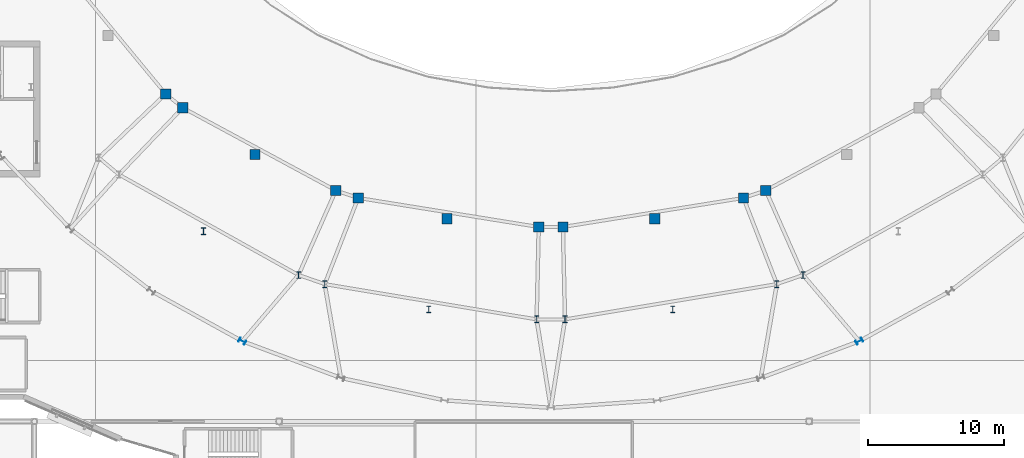
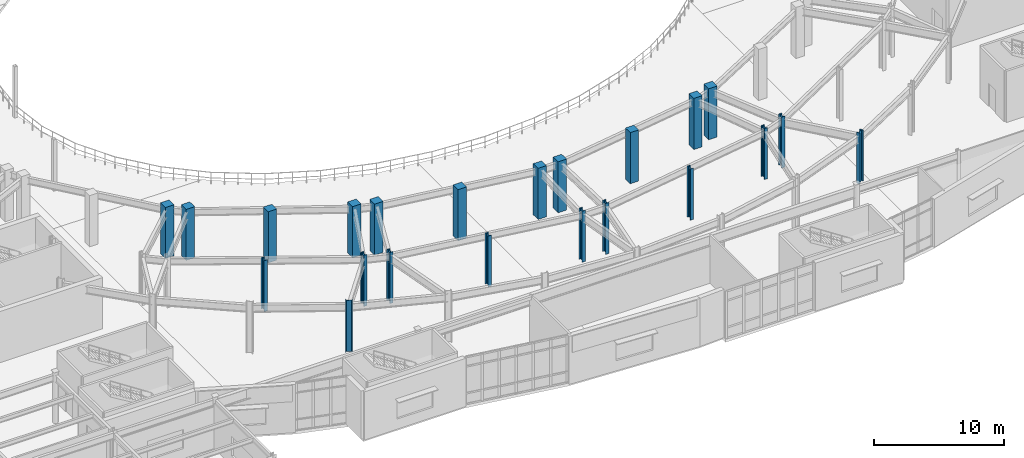
# One storey, part 8 of 86: 22 columns.
"""IFC4 building model written with IfcOpenShell, lengths in metres."""

from ifc_helpers import new_model, si_unit, direction, frame, origin, origin_2d, place, context, subcontext, project, spatial, rectangle, i_section, extrude, material, material_profile, profile_set, type_object, element, save


model = new_model("IFC4")

# Units and contexts
model_context = context("Model", 3, precision=1e-05, world=origin(), true_north=direction((0.0, 1.0)))
body_context = subcontext(model_context, "Body", "Model", "MODEL_VIEW")
ifc_project = project(units=[si_unit("LENGTHUNIT", "METRE"), si_unit("AREAUNIT", "SQUARE_METRE"), si_unit("VOLUMEUNIT", "CUBIC_METRE"), si_unit("PLANEANGLEUNIT", "RADIAN"), si_unit("MASSUNIT", "GRAM", prefix="KILO")], contexts=[model_context])

# Site, building, storey
site_placement = place(None, origin())
site = spatial("IfcSite", under=ifc_project, at=site_placement, CompositionType="ELEMENT")
building_placement = place(site_placement, origin())
building = spatial("IfcBuilding", under=site, at=building_placement, Name="Glasvene Arena", CompositionType="ELEMENT")
storey_placement = place(building_placement, frame((0.0, 0.0, 5.39990234375)))
storey = spatial("IfcBuildingStorey", under=building, at=storey_placement, Name="L01", CompositionType="ELEMENT", Elevation=5.39990234375)

# Columns
ifc_material_1 = material(Name="Concrete C40/50", Category="concrete")
ifc_material_profile_1 = material_profile(ifc_material_1, rectangle(XDim=0.75, YDim=0.75, at=origin_2d()), Name="RC 750x750")
ifc_profile_set_1 = profile_set([ifc_material_profile_1], Name="Concrete C40/50")
column_type_1 = type_object("IfcColumnType", Name="COL-MID-RC750", PredefinedType="COLUMN", material=ifc_profile_set_1)
for number, where, z_axis, x_axis, name in (
    (1, (63.65966796875, 51.09912109375, 0.0), (0.0, 0.0, 1.0), (1.0, 0.0, 0.0), "Mid-bowl fulcrum column L01 10-2"),
    (2, (64.91748046875, 50.081787109375, 0.0), (0.0, 0.0, 1.0), (1.0, 0.0, 0.0), "Mid-bowl fulcrum column L01 11-1"),
    (3, (76.180908203125, 43.995849609375, 0.0), (0.0, 0.0, 1.0), (1.0, 0.0, 0.0), "Mid-bowl fulcrum column L01 11-2"),
    (4, (77.82421875, 43.4453125, 0.0), (0.0, 0.0, 1.0), (1.0, 0.0, 0.0), "Mid-bowl fulcrum column L01 12-1"),
    (5, (91.110595703125, 41.30810546875, 0.0), (0.0, 0.0, 1.0), (1.0, 0.0, 0.0), "Mid-bowl fulcrum column L01 12-2"),
    (6, (92.889404296875, 41.30810546875, 0.0), (0.0, 0.0, 1.0), (1.0, 0.0, 0.0), "Mid-bowl fulcrum column L01 13-1"),
    (7, (106.17578125, 43.4453125, 0.0), (0.0, 0.0, 1.0), (1.0, 0.0, 0.0), "Mid-bowl fulcrum column L01 13-2"),
    (8, (107.819091796875, 43.995849609375, 0.0), (0.0, 0.0, 1.0), (1.0, 0.0, 0.0), "Mid-bowl fulcrum column L01 14-1"),
    (9, (70.2216796875, 46.642333984375, 0.0), (0.0, 0.0, 1.0), (1.0, 0.0, 0.0), "Mid-sector fulcrum column L01 11"),
    (10, (84.3525390625, 41.9091796875, 0.0), (0.0, 0.0, 1.0), (1.0, 0.0, 0.0), "Mid-sector fulcrum column L01 12"),
    (11, (99.6474609375, 41.9091796875, 0.0), (0.0, 0.0, 1.0), (1.0, 0.0, 0.0), "Mid-sector fulcrum column L01 13"),
):
    element("IfcColumn", number, at=place(storey_placement, frame(where, z_axis=z_axis, x_axis=x_axis)), inside=storey, type_object=column_type_1, Name=name, PredefinedType="COLUMN", context=body_context, shape_type="SweptSolid", body=[
        extrude(rectangle(XDim=0.75, YDim=0.75, at=origin_2d()), origin(), (0.0, 0.0, 1.0), 4.800048828125),
    ])
ifc_material_2 = material(Name="Steel S355J2", Category="steel")
ifc_material_profile_2 = material_profile(ifc_material_2, i_section(OverallWidth=0.305908203125, OverallDepth=0.52392578125, WebThickness=0.02099609375, FlangeThickness=0.0400390625, FilletRadius=0.027099609375, at=origin_2d()), Name="HEM 500")
ifc_profile_set_2 = profile_set([ifc_material_profile_2], Name="Steel S355J2")
column_type_2 = type_object("IfcColumnType", Name="COL-RING-HEM500", PredefinedType="COLUMN", material=ifc_profile_set_2)
for number, where, z_axis, x_axis, name in (
    (12, (69.300537109375, 32.90478515625, 0.0), (0.0, 0.0, 1.0), (-0.492727341548, -0.87018375467, 0.0), "Bowl ring column R28 L01"),
    (13, (114.699462890625, 32.90478515625, 0.0), (0.0, 0.0, 1.0), (0.492727341548, -0.87018375467, 0.0), "Bowl ring column R34 L01"),
):
    element("IfcColumn", number, at=place(storey_placement, frame(where, z_axis=z_axis, x_axis=x_axis)), inside=storey, type_object=column_type_2, Name=name, PredefinedType="COLUMN", context=body_context, shape_type="SweptSolid", body=[
        extrude(i_section(OverallWidth=0.305908203125, OverallDepth=0.52392578125, WebThickness=0.02099609375, FlangeThickness=0.0400390625, FilletRadius=0.027099609375, at=origin_2d()), origin(), (0.0, 0.0, 1.0), 4.800048828125),
    ])
ifc_material_profile_3 = material_profile(ifc_material_2, i_section(OverallWidth=0.300048828125, OverallDepth=0.5, WebThickness=0.014404296875, FlangeThickness=0.028076171875, FilletRadius=0.027099609375, at=origin_2d()), Name="HEB 500")
ifc_profile_set_3 = profile_set([ifc_material_profile_3], Name="Steel S355J2")
column_type_3 = type_object("IfcColumnType", Name="COL-W-HEB500", PredefinedType="COLUMN", material=ifc_profile_set_3)
for number, where, z_axis, x_axis, name in (
    (14, (73.43701171875, 37.774169921875, 0.0), (0.0, 0.0, 1.0), (1.0, 0.0, 0.0), "Upper raker rear column L01 11-2"),
    (15, (75.365234375, 37.10546875, 0.0), (0.0, 0.0, 1.0), (1.0, 0.0, 0.0), "Upper raker rear column L01 12-1"),
    (16, (90.956298828125, 34.510009765625, 0.0), (0.0, 0.0, 1.0), (1.0, 0.0, 0.0), "Upper raker rear column L01 12-2"),
    (17, (93.043701171875, 34.510009765625, 0.0), (0.0, 0.0, 1.0), (1.0, 0.0, 0.0), "Upper raker rear column L01 13-1"),
    (18, (108.634765625, 37.10546875, 0.0), (0.0, 0.0, 1.0), (1.0, 0.0, 0.0), "Upper raker rear column L01 13-2"),
    (19, (110.56298828125, 37.774169921875, 0.0), (0.0, 0.0, 1.0), (1.0, 0.0, 0.0), "Upper raker rear column L01 14-1"),
    (20, (66.44384765625, 40.98828125, 0.0), (0.0, 0.0, 1.0), (1.0, 0.0, 0.0), "Mid-sector rear raker column L01 11"),
    (21, (83.02587890625, 35.23974609375, 0.0), (0.0, 0.0, 1.0), (1.0, 0.0, 0.0), "Mid-sector rear raker column L01 12"),
    (22, (100.97412109375, 35.23974609375, 0.0), (0.0, 0.0, 1.0), (1.0, 0.0, 0.0), "Mid-sector rear raker column L01 13"),
):
    element("IfcColumn", number, at=place(storey_placement, frame(where, z_axis=z_axis, x_axis=x_axis)), inside=storey, type_object=column_type_3, Name=name, PredefinedType="COLUMN", context=body_context, shape_type="SweptSolid", body=[
        extrude(i_section(OverallWidth=0.300048828125, OverallDepth=0.5, WebThickness=0.014404296875, FlangeThickness=0.028076171875, FilletRadius=0.027099609375, at=origin_2d()), origin(), (0.0, 0.0, 1.0), 4.800048828125),
    ])

save(model, "model.ifc")
